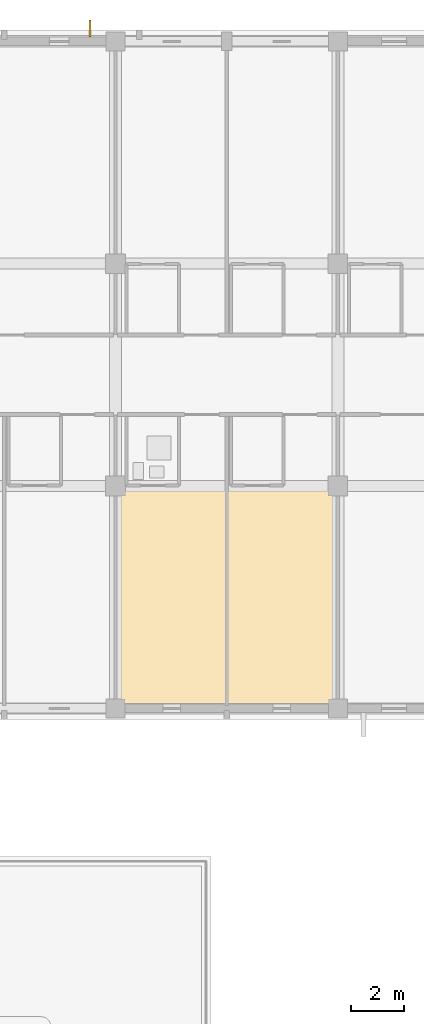
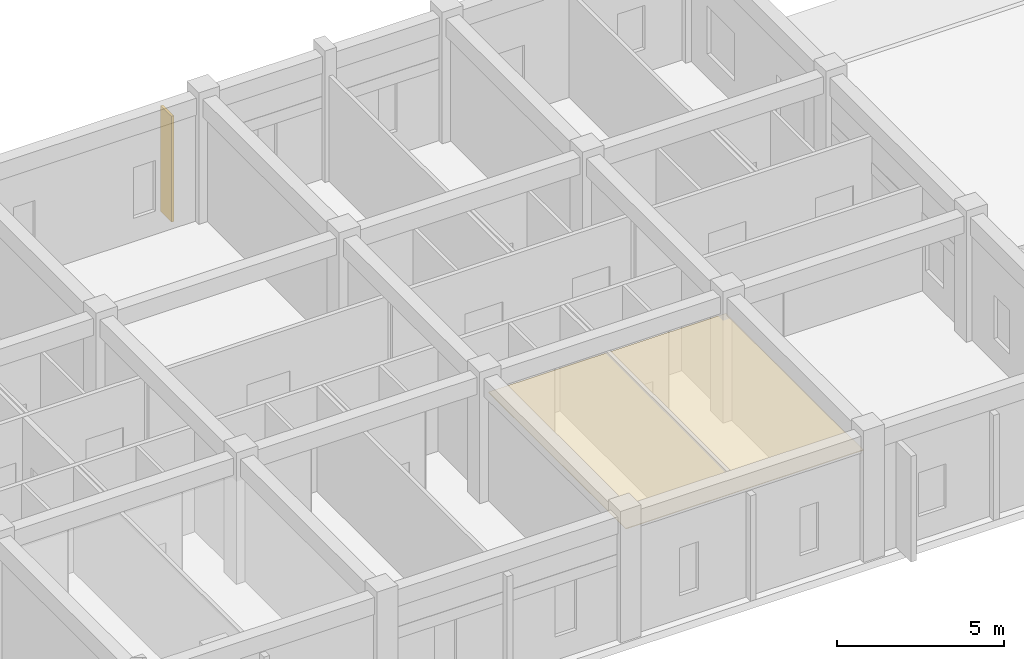
# One storey, part 156 of 158: 1 covering, 1 shading device.
"""IFC4 building model written with IfcOpenShell, lengths in metres."""

from ifc_helpers import new_model, si_unit, direction, frame, origin, origin_2d, place, context, subcontext, project, spatial, polyline, rectangle, outline, extrude, material, layer, layer_set, type_object, element, save


model = new_model("IFC4")

# Units and contexts
model_context = context("Model", 3, precision=1e-05, world=origin(), true_north=direction((0.0, 1.0)))
body_context = subcontext(model_context, "Body", "Model", "MODEL_VIEW")
ifc_project = project(units=[si_unit("LENGTHUNIT", "METRE"), si_unit("AREAUNIT", "SQUARE_METRE"), si_unit("VOLUMEUNIT", "CUBIC_METRE"), si_unit("PLANEANGLEUNIT", "RADIAN"), si_unit("MASSUNIT", "GRAM", prefix="KILO")], contexts=[model_context])

# Site, building, storey
site_placement = place(None, origin())
site = spatial("IfcSite", under=ifc_project, at=site_placement, CompositionType="ELEMENT")
building_placement = place(site_placement, origin())
building = spatial("IfcBuilding", under=site, at=building_placement, Name="Trelvath General Hospital", CompositionType="ELEMENT")
storey_placement = place(building_placement, frame((0.0, 0.0, 8.10009765625)))
storey = spatial("IfcBuildingStorey", under=building, at=storey_placement, Name="L02", CompositionType="ELEMENT", Elevation=8.10009765625)

# Covering
ifc_material_1 = material(Name="Hygienic acoustic ceiling tile")
ifc_layer = layer(ifc_material_1, 0.02490234375)
ifc_layer_set = layer_set([ifc_layer], Name="Hygienic acoustic ceiling tile")
covering_type = type_object("IfcCoveringType", Name="Ceiling ClinicalAcoustic", PredefinedType="CEILING", material=ifc_layer_set)
covering_placement = place(storey_placement, frame((0.0, 0.0, 3.719970703125)))
element("IfcCovering", 1, at=covering_placement, inside=storey, type_object=covering_type, Name="Clinical Acoustic Ceiling L02-36", PredefinedType="CEILING", context=body_context, shape_type="SweptSolid", body=[
    extrude(outline(polyline([(117.699951171875, 92.5), (125.89990234375, 92.5), (125.89990234375, 100.719970703125), (117.699951171875, 100.719970703125), (117.699951171875, 92.5)])), origin(), (0.0, 0.0, 1.0), 0.02490234375),
])

# Shading device
ifc_material_2 = material(Name="Anodised aluminium", Category="aluminium")
shading_device_type = type_object("IfcShadingDeviceType", Name="SolarScreen PerforatedAlu", PredefinedType="JALOUSIE", material=ifc_material_2)
shading_device_placement = place(storey_placement, frame((116.6298828125, 118.080078125, 0.0), z_axis=(0.0, 0.0, 1.0), x_axis=(0.0, 1.0, 0.0)))
element("IfcShadingDevice", 2, at=shading_device_placement, inside=storey, type_object=shading_device_type, Name="Solar Brise-Soleil Screen L02-44", PredefinedType="JALOUSIE", context=body_context, shape_type="SweptSolid", body=[
    extrude(rectangle(XDim=0.64990234375, YDim=0.080078125, at=origin_2d()), origin(), (0.0, 0.0, 1.0), 3.860107421875),
])

save(model, "model.ifc")
